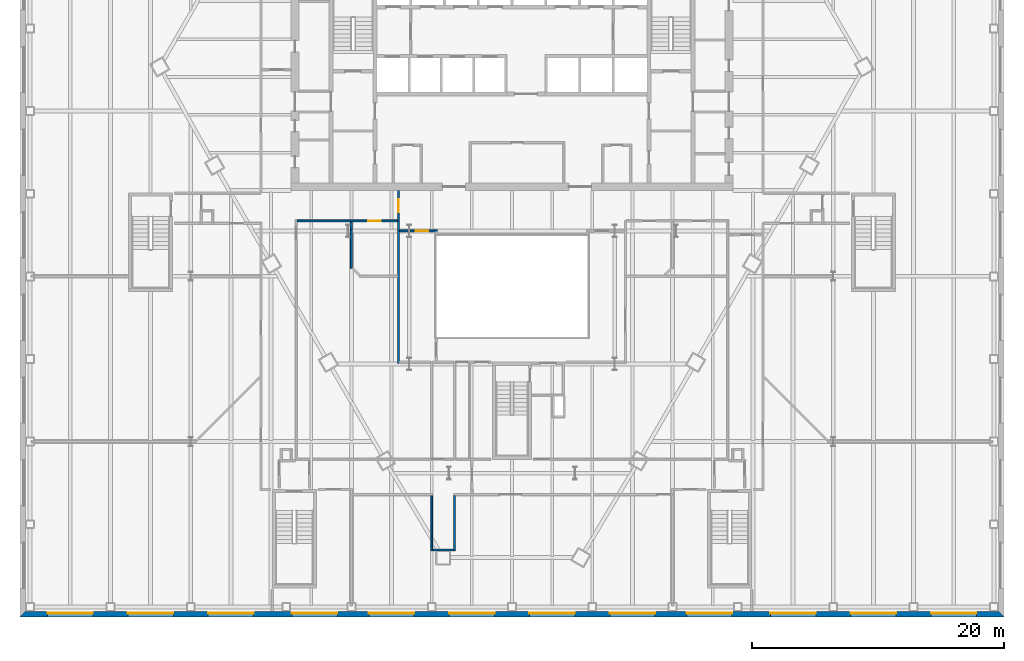
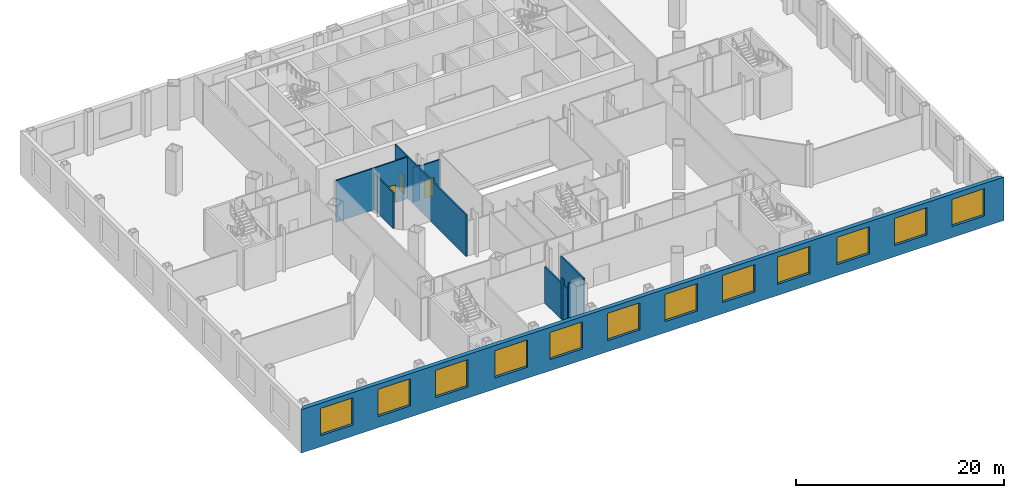
# One storey, part 9 of 21: 12 walls, 12 windows, 3 doors, 15 openings.
"""IFC4 building model written with IfcOpenShell, lengths in metres."""

from ifc_helpers import new_model, si_unit, direction, frame, frame_2d, origin, place, context, subcontext, project, spatial, polyline, rectangle, outline, extrude, material, layer, layer_set, type_object, element, fill, save


model = new_model("IFC4")

# Units and contexts
model_context = context("Model", 3, precision=1e-05, world=origin(), true_north=direction((0.0, 1.0)))
body_context = subcontext(model_context, "Body", "Model", "MODEL_VIEW")
ifc_project = project(units=[si_unit("LENGTHUNIT", "METRE"), si_unit("AREAUNIT", "SQUARE_METRE"), si_unit("VOLUMEUNIT", "CUBIC_METRE"), si_unit("PLANEANGLEUNIT", "RADIAN"), si_unit("MASSUNIT", "GRAM", prefix="KILO")], contexts=[model_context])

# Site, building, storey
site_placement = place(None, origin())
site = spatial("IfcSite", under=ifc_project, at=site_placement, CompositionType="ELEMENT")
building_placement = place(site_placement, origin())
building = spatial("IfcBuilding", under=site, at=building_placement, Name="Njiva Tower", CompositionType="ELEMENT")
storey_placement = place(building_placement, frame((0.0, 0.0, 8.4)))
storey = spatial("IfcBuildingStorey", under=building, at=storey_placement, Name="L01", CompositionType="ELEMENT", Elevation=8.4)

# Wall, opening, door
ifc_material_1 = material(Name="Gypsum board on steel studs", Category="gypsum")
ifc_layer_1 = layer(ifc_material_1, 0.15)
ifc_layer_set_1 = layer_set([ifc_layer_1], Name="Gypsum board on steel studs")
wall_type_1 = type_object("IfcWallType", Name="WT21 Compartment wall 150", PredefinedType="PARTITIONING", material=ifc_layer_set_1)
wall_1_placement = place(storey_placement, frame((-17.025, -2.4, 0.0), z_axis=(0.0, 0.0, 1.0), x_axis=(1.0, 0.0, 0.0)))
wall_1 = element("IfcWall", 1, at=wall_1_placement, inside=storey, type_object=wall_type_1, Name="Partition L01-P029", PredefinedType="PARTITIONING", context=body_context, shape_type="SweptSolid", body=[
    extrude(rectangle(XDim=7.95, YDim=0.15, at=frame_2d((3.975, 0.0))), origin(), (0.0, 0.0, 1.0), 4.88),
])
opening_1_placement = place(wall_1_placement, frame((5.621, 0.0, 0.0)))
opening_1 = element("IfcOpeningElement", 2, at=opening_1_placement, cuts=wall_1, Name="Opening L01-D009", PredefinedType="OPENING", context=body_context, shape_type="SweptSolid", body=[
    extrude(rectangle(XDim=1.0, YDim=2.1, at=frame_2d((0.5, 1.05))), frame((0.0, 0.085, 0.0), z_axis=(0.0, -1.0, 0.0), x_axis=(1.0, 0.0, 0.0)), (0.0, 0.0, 1.0), 0.17),
])
ifc_material_2 = material(Name="Steel fire door set", Category="steel")
door_type = type_object("IfcDoorType", Name="D37 Fire door 1000x2100", OperationType="SINGLE_SWING_LEFT", PredefinedType="DOOR", material=ifc_material_2)
door_1_placement = place(opening_1_placement, origin())
door_1 = element("IfcDoor", 3, at=door_1_placement, inside=storey, type_object=door_type, Name="Door L01-D009", OperationType="SINGLE_SWING_RIGHT", OverallHeight=2.1, OverallWidth=1.0, PredefinedType="DOOR", context=body_context, shape_type="SweptSolid", body=[
    extrude(rectangle(XDim=1.0, YDim=2.1, at=frame_2d((0.5, 1.05))), frame((0.0, 0.025, 0.0), z_axis=(0.0, -1.0, 0.0), x_axis=(1.0, 0.0, 0.0)), (0.0, 0.0, 1.0), 0.05),
])
fill(opening_1, door_1)

# Walls
wall_2_placement = place(storey_placement, frame((-12.733, -6.142, 0.0), z_axis=(0.0, 0.0, 1.0), x_axis=(0.0, 1.0, 0.0)))
element("IfcWall", 4, at=wall_2_placement, inside=storey, type_object=wall_type_1, Name="Partition L01-P033", PredefinedType="PARTITIONING", context=body_context, shape_type="SweptSolid", body=[
    extrude(rectangle(XDim=3.042, YDim=0.15, at=frame_2d((1.521, 0.0))), origin(), (0.0, 0.0, 1.0), 4.19),
])
wall_3_placement = place(storey_placement, frame((-12.733, -3.1, 0.0), z_axis=(0.0, 0.0, 1.0), x_axis=(0.0, 1.0, 0.0)))
element("IfcWall", 5, at=wall_3_placement, inside=storey, type_object=wall_type_1, Name="Partition L01-P033A", PredefinedType="PARTITIONING", context=body_context, shape_type="SweptSolid", body=[
    extrude(rectangle(XDim=0.625, YDim=0.15, at=frame_2d((0.3125, 0.0))), origin(), (0.0, 0.0, 1.0), 4.28),
])

# Wall, opening, door
wall_4_placement = place(storey_placement, frame((-9.0, -13.675, 0.0), z_axis=(0.0, 0.0, 1.0), x_axis=(0.0, 1.0, 0.0)))
wall_4 = element("IfcWall", 6, at=wall_4_placement, inside=storey, type_object=wall_type_1, Name="Partition L01-P038", PredefinedType="PARTITIONING", context=body_context, shape_type="SweptSolid", body=[
    extrude(rectangle(XDim=13.675, YDim=0.15, at=frame_2d((6.8375, 0.0))), origin(), (0.0, 0.0, 1.0), 4.88),
])
opening_2_placement = place(wall_4_placement, frame((11.969, 0.0, 0.0)))
opening_2 = element("IfcOpeningElement", 7, at=opening_2_placement, cuts=wall_4, Name="Opening L01-D012", PredefinedType="OPENING", context=body_context, shape_type="SweptSolid", body=[
    extrude(rectangle(XDim=1.0, YDim=2.1, at=frame_2d((0.5, 1.05))), frame((0.0, 0.085, 0.0), z_axis=(0.0, -1.0, 0.0), x_axis=(1.0, 0.0, 0.0)), (0.0, 0.0, 1.0), 0.17),
])
door_2_placement = place(opening_2_placement, origin())
door_2 = element("IfcDoor", 8, at=door_2_placement, inside=storey, type_object=door_type, Name="Door L01-D012", OperationType="SINGLE_SWING_RIGHT", OverallHeight=2.1, OverallWidth=1.0, PredefinedType="DOOR", context=body_context, shape_type="SweptSolid", body=[
    extrude(rectangle(XDim=1.0, YDim=2.1, at=frame_2d((0.5, 1.05))), frame((0.0, 0.025, 0.0), z_axis=(0.0, -1.0, 0.0), x_axis=(1.0, 0.0, 0.0)), (0.0, 0.0, 1.0), 0.05),
])
fill(opening_2, door_2)

# Wall
wall_5_placement = place(storey_placement, frame((-8.925, -3.2, 0.0), z_axis=(0.0, 0.0, 1.0), x_axis=(1.0, 0.0, 0.0)))
element("IfcWall", 9, at=wall_5_placement, inside=storey, type_object=wall_type_1, Name="Partition L01-P040", PredefinedType="PARTITIONING", context=body_context, shape_type="SweptSolid", body=[
    extrude(rectangle(XDim=0.775, YDim=0.15, at=frame_2d((0.3875, 0.0))), origin(), (0.0, 0.0, 1.0), 4.09),
])

# Wall, opening, door
wall_6_placement = place(storey_placement, frame((-8.15, -3.2, 0.0), z_axis=(0.0, 0.0, 1.0), x_axis=(1.0, 0.0, 0.0)))
wall_6 = element("IfcWall", 10, at=wall_6_placement, inside=storey, type_object=wall_type_1, Name="Partition L01-P040A", PredefinedType="PARTITIONING", context=body_context, shape_type="SweptSolid", body=[
    extrude(rectangle(XDim=2.225, YDim=0.15, at=frame_2d((1.1125, 0.0))), origin(), (0.0, 0.0, 1.0), 3.97),
])
opening_3_placement = place(wall_6_placement, frame((0.513, 0.0, 0.0)))
opening_3 = element("IfcOpeningElement", 11, at=opening_3_placement, cuts=wall_6, Name="Opening L01-D013", PredefinedType="OPENING", context=body_context, shape_type="SweptSolid", body=[
    extrude(rectangle(XDim=1.0, YDim=2.1, at=frame_2d((0.5, 1.05))), frame((0.0, 0.085, 0.0), z_axis=(0.0, -1.0, 0.0), x_axis=(1.0, 0.0, 0.0)), (0.0, 0.0, 1.0), 0.17),
])
door_3_placement = place(opening_3_placement, origin())
door_3 = element("IfcDoor", 12, at=door_3_placement, inside=storey, type_object=door_type, Name="Door L01-D013", OperationType="SINGLE_SWING_RIGHT", OverallHeight=2.1, OverallWidth=1.0, PredefinedType="DOOR", context=body_context, shape_type="SweptSolid", body=[
    extrude(rectangle(XDim=1.0, YDim=2.1, at=frame_2d((0.5, 1.05))), frame((0.0, 0.025, 0.0), z_axis=(0.0, -1.0, 0.0), x_axis=(1.0, 0.0, 0.0)), (0.0, 0.0, 1.0), 0.05),
])
fill(opening_3, door_3)

# Walls
wall_7_placement = place(storey_placement, frame((-6.361, -28.571, 0.0), z_axis=(0.0, 0.0, 1.0), x_axis=(0.000251572319, 0.999999968356, 0.0)))
element("IfcWall", 13, at=wall_7_placement, inside=storey, type_object=wall_type_1, Name="Partition L01-P043", PredefinedType="PARTITIONING", context=body_context, shape_type="SweptSolid", body=[
    extrude(rectangle(XDim=0.795, YDim=0.15, at=frame_2d((0.3975, 0.0))), origin(), (0.0, 0.0, 1.0), 4.28),
])
wall_8_placement = place(storey_placement, frame((-6.3608, -27.776, 0.0), z_axis=(0.0, 0.0, 1.0), x_axis=(0.000256410248, 0.999999967127, 0.0)))
element("IfcWall", 14, at=wall_8_placement, inside=storey, type_object=wall_type_1, Name="Partition L01-P043A", PredefinedType="PARTITIONING", context=body_context, shape_type="SweptSolid", body=[
    extrude(rectangle(XDim=0.39, YDim=0.15, at=frame_2d((0.195, 0.0))), origin(), (0.0, 0.0, 1.0), 4.88),
])
wall_9_placement = place(storey_placement, frame((-6.3607, -27.386, 0.0), z_axis=(0.0, 0.0, 1.0), x_axis=(0.000218000618, 0.999999976238, 0.0)))
element("IfcWall", 15, at=wall_9_placement, inside=storey, type_object=wall_type_1, Name="Partition L01-P043B", PredefinedType="PARTITIONING", context=body_context, shape_type="SweptSolid", body=[
    extrude(rectangle(XDim=3.211, YDim=0.15, at=frame_2d((1.6055, 0.0))), origin(), (0.0, 0.0, 1.0), 4.28),
])
wall_10_placement = place(storey_placement, frame((-6.286, -28.496, 0.0), z_axis=(0.0, 0.0, 1.0), x_axis=(1.0, 0.0, 0.0)))
element("IfcWall", 16, at=wall_10_placement, inside=storey, type_object=wall_type_1, Name="Partition L01-P045", PredefinedType="PARTITIONING", context=body_context, shape_type="SweptSolid", body=[
    extrude(rectangle(XDim=1.65, YDim=0.15, at=frame_2d((0.825, 0.0))), origin(), (0.0, 0.0, 1.0), 4.88),
])
wall_11_placement = place(storey_placement, frame((-4.561, -28.571, 0.0), z_axis=(0.0, 0.0, 1.0), x_axis=(0.000227479521, 0.999999974127, 0.0)))
element("IfcWall", 17, at=wall_11_placement, inside=storey, type_object=wall_type_1, Name="Partition L01-P049", PredefinedType="PARTITIONING", context=body_context, shape_type="SweptSolid", body=[
    extrude(rectangle(XDim=4.396, YDim=0.15, at=frame_2d((2.198, 0.0))), origin(), (0.0, 0.0, 1.0), 4.88),
])

# Wall, openings, windows
ifc_material_3 = material(Name="Brick masonry", Category="masonry")
ifc_layer_2 = layer(ifc_material_3, 0.45)
ifc_layer_set_2 = layer_set([ifc_layer_2], Name="Brick masonry")
wall_type_2 = type_object("IfcWallType", Name="WT90 Brick pier and spandrel wall 450", PredefinedType="SOLIDWALL", material=ifc_layer_set_2)
wall_12_placement = place(storey_placement, frame((-38.775, -33.575, -0.4), z_axis=(0.0, 0.0, 1.0), x_axis=(1.0, 0.0, 0.0)))
wall_12 = element("IfcWall", 18, at=wall_12_placement, inside=storey, type_object=wall_type_2, Name="Podium wall S", PredefinedType="SOLIDWALL", context=body_context, shape_type="SweptSolid", body=[
    extrude(outline(polyline([(-0.225, -0.225), (77.775, -0.225), (77.325, 0.225), (0.225, 0.225), (-0.225, -0.225)])), origin(), (0.0, 0.0, 1.0), 5.1),
])
opening_4_placement = place(wall_12_placement, frame((1.9584, 0.0, 1.3)))
opening_4 = element("IfcOpeningElement", 19, at=opening_4_placement, cuts=wall_12, Name="Opening L01-W25", PredefinedType="OPENING", context=body_context, shape_type="SweptSolid", body=[
    extrude(rectangle(XDim=3.6, YDim=3.2, at=frame_2d((1.8, 1.6))), frame((0.0, 0.235, 0.0), z_axis=(0.0, -1.0, 0.0), x_axis=(1.0, 0.0, 0.0)), (0.0, 0.0, 1.0), 0.47),
])
opening_5_placement = place(wall_12_placement, frame((8.325, 0.0, 1.3)))
opening_5 = element("IfcOpeningElement", 20, at=opening_5_placement, cuts=wall_12, Name="Opening L01-W26", PredefinedType="OPENING", context=body_context, shape_type="SweptSolid", body=[
    extrude(rectangle(XDim=3.6, YDim=3.2, at=frame_2d((1.8, 1.6))), frame((0.0, 0.235, 0.0), z_axis=(0.0, -1.0, 0.0), x_axis=(1.0, 0.0, 0.0)), (0.0, 0.0, 1.0), 0.47),
])
opening_6_placement = place(wall_12_placement, frame((14.6916, 0.0, 1.3)))
opening_6 = element("IfcOpeningElement", 21, at=opening_6_placement, cuts=wall_12, Name="Opening L01-W27", PredefinedType="OPENING", context=body_context, shape_type="SweptSolid", body=[
    extrude(rectangle(XDim=3.6, YDim=3.2, at=frame_2d((1.8, 1.6))), frame((0.0, 0.235, 0.0), z_axis=(0.0, -1.0, 0.0), x_axis=(1.0, 0.0, 0.0)), (0.0, 0.0, 1.0), 0.47),
])
opening_7_placement = place(wall_12_placement, frame((21.325, 0.0, 1.3)))
opening_7 = element("IfcOpeningElement", 22, at=opening_7_placement, cuts=wall_12, Name="Opening L01-W28", PredefinedType="OPENING", context=body_context, shape_type="SweptSolid", body=[
    extrude(rectangle(XDim=3.6, YDim=3.2, at=frame_2d((1.8, 1.6))), frame((0.0, 0.235, 0.0), z_axis=(0.0, -1.0, 0.0), x_axis=(1.0, 0.0, 0.0)), (0.0, 0.0, 1.0), 0.47),
])
opening_8_placement = place(wall_12_placement, frame((27.425, 0.0, 1.3)))
opening_8 = element("IfcOpeningElement", 23, at=opening_8_placement, cuts=wall_12, Name="Opening L01-W29", PredefinedType="OPENING", context=body_context, shape_type="SweptSolid", body=[
    extrude(rectangle(XDim=3.6, YDim=3.2, at=frame_2d((1.8, 1.6))), frame((0.0, 0.235, 0.0), z_axis=(0.0, -1.0, 0.0), x_axis=(1.0, 0.0, 0.0)), (0.0, 0.0, 1.0), 0.47),
])
opening_9_placement = place(wall_12_placement, frame((33.7916, 0.0, 1.3)))
opening_9 = element("IfcOpeningElement", 24, at=opening_9_placement, cuts=wall_12, Name="Opening L01-W30", PredefinedType="OPENING", context=body_context, shape_type="SweptSolid", body=[
    extrude(rectangle(XDim=3.6, YDim=3.2, at=frame_2d((1.8, 1.6))), frame((0.0, 0.235, 0.0), z_axis=(0.0, -1.0, 0.0), x_axis=(1.0, 0.0, 0.0)), (0.0, 0.0, 1.0), 0.47),
])
opening_10_placement = place(wall_12_placement, frame((40.1584, 0.0, 1.3)))
opening_10 = element("IfcOpeningElement", 25, at=opening_10_placement, cuts=wall_12, Name="Opening L01-W31", PredefinedType="OPENING", context=body_context, shape_type="SweptSolid", body=[
    extrude(rectangle(XDim=3.6, YDim=3.2, at=frame_2d((1.8, 1.6))), frame((0.0, 0.235, 0.0), z_axis=(0.0, -1.0, 0.0), x_axis=(1.0, 0.0, 0.0)), (0.0, 0.0, 1.0), 0.47),
])
opening_11_placement = place(wall_12_placement, frame((46.525, 0.0, 1.3)))
opening_11 = element("IfcOpeningElement", 26, at=opening_11_placement, cuts=wall_12, Name="Opening L01-W32", PredefinedType="OPENING", context=body_context, shape_type="SweptSolid", body=[
    extrude(rectangle(XDim=3.6, YDim=3.2, at=frame_2d((1.8, 1.6))), frame((0.0, 0.235, 0.0), z_axis=(0.0, -1.0, 0.0), x_axis=(1.0, 0.0, 0.0)), (0.0, 0.0, 1.0), 0.47),
])
opening_12_placement = place(wall_12_placement, frame((52.625, 0.0, 1.3)))
opening_12 = element("IfcOpeningElement", 27, at=opening_12_placement, cuts=wall_12, Name="Opening L01-W33", PredefinedType="OPENING", context=body_context, shape_type="SweptSolid", body=[
    extrude(rectangle(XDim=3.6, YDim=3.2, at=frame_2d((1.8, 1.6))), frame((0.0, 0.235, 0.0), z_axis=(0.0, -1.0, 0.0), x_axis=(1.0, 0.0, 0.0)), (0.0, 0.0, 1.0), 0.47),
])
opening_13_placement = place(wall_12_placement, frame((59.2584, 0.0, 1.3)))
opening_13 = element("IfcOpeningElement", 28, at=opening_13_placement, cuts=wall_12, Name="Opening L01-W34", PredefinedType="OPENING", context=body_context, shape_type="SweptSolid", body=[
    extrude(rectangle(XDim=3.6, YDim=3.2, at=frame_2d((1.8, 1.6))), frame((0.0, 0.235, 0.0), z_axis=(0.0, -1.0, 0.0), x_axis=(1.0, 0.0, 0.0)), (0.0, 0.0, 1.0), 0.47),
])
opening_14_placement = place(wall_12_placement, frame((65.625, 0.0, 1.3)))
opening_14 = element("IfcOpeningElement", 29, at=opening_14_placement, cuts=wall_12, Name="Opening L01-W35", PredefinedType="OPENING", context=body_context, shape_type="SweptSolid", body=[
    extrude(rectangle(XDim=3.6, YDim=3.2, at=frame_2d((1.8, 1.6))), frame((0.0, 0.235, 0.0), z_axis=(0.0, -1.0, 0.0), x_axis=(1.0, 0.0, 0.0)), (0.0, 0.0, 1.0), 0.47),
])
opening_15_placement = place(wall_12_placement, frame((71.9917, 0.0, 1.3)))
opening_15 = element("IfcOpeningElement", 30, at=opening_15_placement, cuts=wall_12, Name="Opening L01-W36", PredefinedType="OPENING", context=body_context, shape_type="SweptSolid", body=[
    extrude(rectangle(XDim=3.6, YDim=3.2, at=frame_2d((1.8, 1.6))), frame((0.0, 0.235, 0.0), z_axis=(0.0, -1.0, 0.0), x_axis=(1.0, 0.0, 0.0)), (0.0, 0.0, 1.0), 0.47),
])
ifc_material_4 = material(Name="Clear glazing in aluminium frame", Category="aluminium")
window_type = type_object("IfcWindowType", Name="W98 Deep-set window 3600x3200", PartitioningType="SINGLE_PANEL", PredefinedType="WINDOW", material=ifc_material_4)
window_1_placement = place(opening_4_placement, origin())
window_1 = element("IfcWindow", 31, at=window_1_placement, inside=storey, type_object=window_type, Name="Window", OverallHeight=3.2, OverallWidth=3.6, PartitioningType="SINGLE_PANEL", PredefinedType="WINDOW", context=body_context, shape_type="SweptSolid", body=[
    extrude(rectangle(XDim=3.6, YDim=3.2, at=frame_2d((1.8, 1.6))), frame((0.0, 0.105, 0.0), z_axis=(0.0, -1.0, 0.0), x_axis=(1.0, 0.0, 0.0)), (0.0, 0.0, 1.0), 0.06),
])
fill(opening_4, window_1)
window_2_placement = place(opening_5_placement, origin())
window_2 = element("IfcWindow", 32, at=window_2_placement, inside=storey, type_object=window_type, Name="Window", OverallHeight=3.2, OverallWidth=3.6, PartitioningType="SINGLE_PANEL", PredefinedType="WINDOW", context=body_context, shape_type="SweptSolid", body=[
    extrude(rectangle(XDim=3.6, YDim=3.2, at=frame_2d((1.8, 1.6))), frame((0.0, 0.105, 0.0), z_axis=(0.0, -1.0, 0.0), x_axis=(1.0, 0.0, 0.0)), (0.0, 0.0, 1.0), 0.06),
])
fill(opening_5, window_2)
window_3_placement = place(opening_6_placement, origin())
window_3 = element("IfcWindow", 33, at=window_3_placement, inside=storey, type_object=window_type, Name="Window", OverallHeight=3.2, OverallWidth=3.6, PartitioningType="SINGLE_PANEL", PredefinedType="WINDOW", context=body_context, shape_type="SweptSolid", body=[
    extrude(rectangle(XDim=3.6, YDim=3.2, at=frame_2d((1.8, 1.6))), frame((0.0, 0.105, 0.0), z_axis=(0.0, -1.0, 0.0), x_axis=(1.0, 0.0, 0.0)), (0.0, 0.0, 1.0), 0.06),
])
fill(opening_6, window_3)
window_4_placement = place(opening_7_placement, origin())
window_4 = element("IfcWindow", 34, at=window_4_placement, inside=storey, type_object=window_type, Name="Window", OverallHeight=3.2, OverallWidth=3.6, PartitioningType="SINGLE_PANEL", PredefinedType="WINDOW", context=body_context, shape_type="SweptSolid", body=[
    extrude(rectangle(XDim=3.6, YDim=3.2, at=frame_2d((1.8, 1.6))), frame((0.0, 0.105, 0.0), z_axis=(0.0, -1.0, 0.0), x_axis=(1.0, 0.0, 0.0)), (0.0, 0.0, 1.0), 0.06),
])
fill(opening_7, window_4)
window_5_placement = place(opening_8_placement, origin())
window_5 = element("IfcWindow", 35, at=window_5_placement, inside=storey, type_object=window_type, Name="Window", OverallHeight=3.2, OverallWidth=3.6, PartitioningType="SINGLE_PANEL", PredefinedType="WINDOW", context=body_context, shape_type="SweptSolid", body=[
    extrude(rectangle(XDim=3.6, YDim=3.2, at=frame_2d((1.8, 1.6))), frame((0.0, 0.105, 0.0), z_axis=(0.0, -1.0, 0.0), x_axis=(1.0, 0.0, 0.0)), (0.0, 0.0, 1.0), 0.06),
])
fill(opening_8, window_5)
window_6_placement = place(opening_9_placement, origin())
window_6 = element("IfcWindow", 36, at=window_6_placement, inside=storey, type_object=window_type, Name="Window", OverallHeight=3.2, OverallWidth=3.6, PartitioningType="SINGLE_PANEL", PredefinedType="WINDOW", context=body_context, shape_type="SweptSolid", body=[
    extrude(rectangle(XDim=3.6, YDim=3.2, at=frame_2d((1.8, 1.6))), frame((0.0, 0.105, 0.0), z_axis=(0.0, -1.0, 0.0), x_axis=(1.0, 0.0, 0.0)), (0.0, 0.0, 1.0), 0.06),
])
fill(opening_9, window_6)
window_7_placement = place(opening_10_placement, origin())
window_7 = element("IfcWindow", 37, at=window_7_placement, inside=storey, type_object=window_type, Name="Window", OverallHeight=3.2, OverallWidth=3.6, PartitioningType="SINGLE_PANEL", PredefinedType="WINDOW", context=body_context, shape_type="SweptSolid", body=[
    extrude(rectangle(XDim=3.6, YDim=3.2, at=frame_2d((1.8, 1.6))), frame((0.0, 0.105, 0.0), z_axis=(0.0, -1.0, 0.0), x_axis=(1.0, 0.0, 0.0)), (0.0, 0.0, 1.0), 0.06),
])
fill(opening_10, window_7)
window_8_placement = place(opening_11_placement, origin())
window_8 = element("IfcWindow", 38, at=window_8_placement, inside=storey, type_object=window_type, Name="Window", OverallHeight=3.2, OverallWidth=3.6, PartitioningType="SINGLE_PANEL", PredefinedType="WINDOW", context=body_context, shape_type="SweptSolid", body=[
    extrude(rectangle(XDim=3.6, YDim=3.2, at=frame_2d((1.8, 1.6))), frame((0.0, 0.105, 0.0), z_axis=(0.0, -1.0, 0.0), x_axis=(1.0, 0.0, 0.0)), (0.0, 0.0, 1.0), 0.06),
])
fill(opening_11, window_8)
window_9_placement = place(opening_12_placement, origin())
window_9 = element("IfcWindow", 39, at=window_9_placement, inside=storey, type_object=window_type, Name="Window", OverallHeight=3.2, OverallWidth=3.6, PartitioningType="SINGLE_PANEL", PredefinedType="WINDOW", context=body_context, shape_type="SweptSolid", body=[
    extrude(rectangle(XDim=3.6, YDim=3.2, at=frame_2d((1.8, 1.6))), frame((0.0, 0.105, 0.0), z_axis=(0.0, -1.0, 0.0), x_axis=(1.0, 0.0, 0.0)), (0.0, 0.0, 1.0), 0.06),
])
fill(opening_12, window_9)
window_10_placement = place(opening_13_placement, origin())
window_10 = element("IfcWindow", 40, at=window_10_placement, inside=storey, type_object=window_type, Name="Window", OverallHeight=3.2, OverallWidth=3.6, PartitioningType="SINGLE_PANEL", PredefinedType="WINDOW", context=body_context, shape_type="SweptSolid", body=[
    extrude(rectangle(XDim=3.6, YDim=3.2, at=frame_2d((1.8, 1.6))), frame((0.0, 0.105, 0.0), z_axis=(0.0, -1.0, 0.0), x_axis=(1.0, 0.0, 0.0)), (0.0, 0.0, 1.0), 0.06),
])
fill(opening_13, window_10)
window_11_placement = place(opening_14_placement, origin())
window_11 = element("IfcWindow", 41, at=window_11_placement, inside=storey, type_object=window_type, Name="Window", OverallHeight=3.2, OverallWidth=3.6, PartitioningType="SINGLE_PANEL", PredefinedType="WINDOW", context=body_context, shape_type="SweptSolid", body=[
    extrude(rectangle(XDim=3.6, YDim=3.2, at=frame_2d((1.8, 1.6))), frame((0.0, 0.105, 0.0), z_axis=(0.0, -1.0, 0.0), x_axis=(1.0, 0.0, 0.0)), (0.0, 0.0, 1.0), 0.06),
])
fill(opening_14, window_11)
window_12_placement = place(opening_15_placement, origin())
window_12 = element("IfcWindow", 42, at=window_12_placement, inside=storey, type_object=window_type, Name="Window", OverallHeight=3.2, OverallWidth=3.6, PartitioningType="SINGLE_PANEL", PredefinedType="WINDOW", context=body_context, shape_type="SweptSolid", body=[
    extrude(rectangle(XDim=3.6, YDim=3.2, at=frame_2d((1.8, 1.6))), frame((0.0, 0.105, 0.0), z_axis=(0.0, -1.0, 0.0), x_axis=(1.0, 0.0, 0.0)), (0.0, 0.0, 1.0), 0.06),
])
fill(opening_15, window_12)

save(model, "model.ifc")
